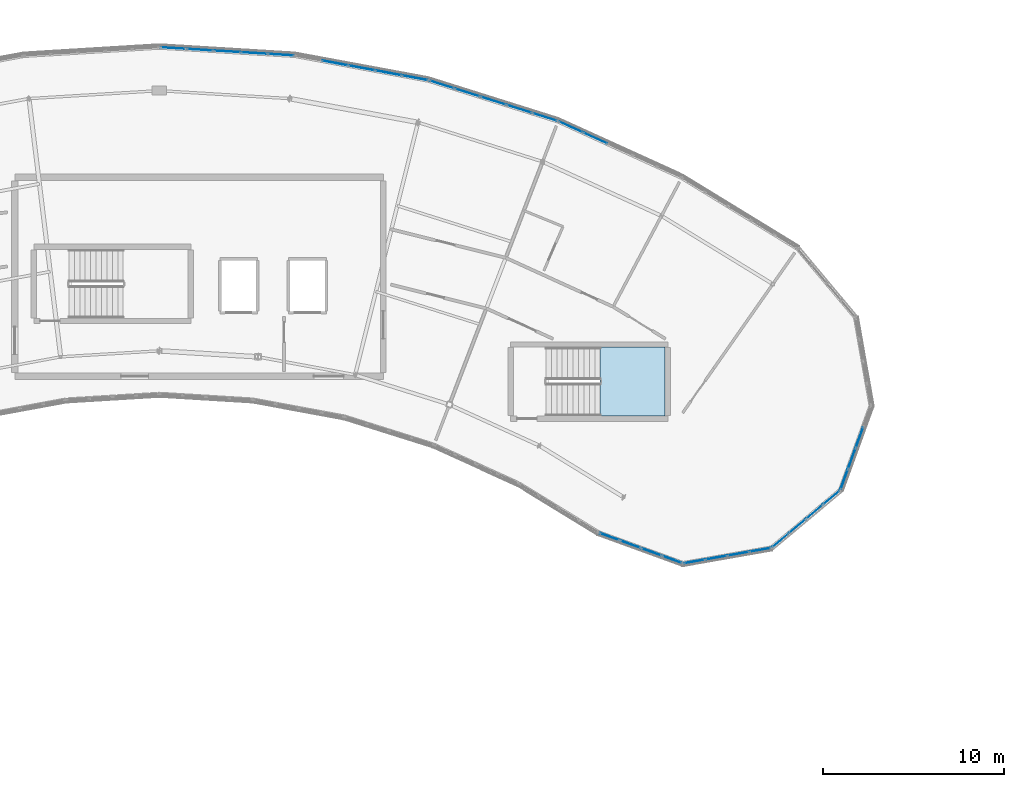
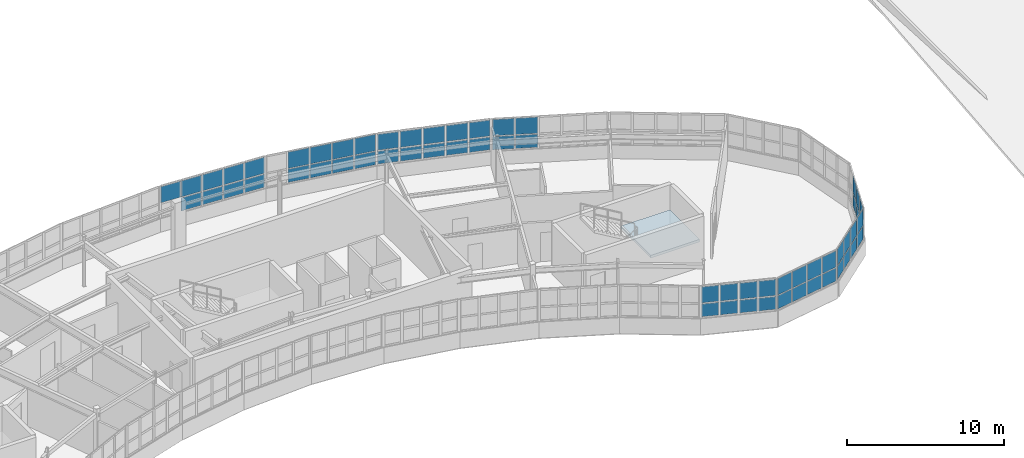
# One storey, part 54 of 79: 61 plates, 1 slab, 9 elements without a shape of their own.
"""IFC4 building model written with IfcOpenShell, lengths in metres."""

from ifc_helpers import new_model, si_unit, direction, frame, origin, origin_2d, place, context, subcontext, project, spatial, polyline, rectangle, outline, extrude, material, layer, layer_set, type_object, element, aggregate, save


model = new_model("IFC4")

# Units and contexts
model_context = context("Model", 3, precision=1e-05, world=origin(), true_north=direction((0.0, 1.0)))
body_context = subcontext(model_context, "Body", "Model", "MODEL_VIEW")
ifc_project = project(units=[si_unit("LENGTHUNIT", "METRE"), si_unit("AREAUNIT", "SQUARE_METRE"), si_unit("VOLUMEUNIT", "CUBIC_METRE"), si_unit("PLANEANGLEUNIT", "RADIAN"), si_unit("MASSUNIT", "GRAM", prefix="KILO")], contexts=[model_context])

# Site, building, storey
site_placement = place(None, origin())
site = spatial("IfcSite", under=ifc_project, at=site_placement, CompositionType="ELEMENT")
building_placement = place(site_placement, origin())
building = spatial("IfcBuilding", under=site, at=building_placement, Name="Tarnwether General Hospital", CompositionType="ELEMENT")
storey_placement = place(building_placement, frame((0.0, 0.0, 18.300048828125)))
storey = spatial("IfcBuildingStorey", under=building, at=storey_placement, Name="L04", CompositionType="ELEMENT", Elevation=18.300048828125)

# Curtain wall, plates
ifc_material_1 = material(Name="Anodised aluminium", Category="aluminium")
ifc_layer_1 = layer(ifc_material_1, 0.159912109375)
ifc_layer_set_1 = layer_set([ifc_layer_1], Name="Anodised aluminium")
curtain_wall_type_1 = type_object("IfcCurtainWallType", Name="CW-04", PredefinedType="NOTDEFINED", material=ifc_layer_set_1)
curtain_wall_1_placement = place(storey_placement, origin())
curtain_wall_1 = element("IfcCurtainWall", 1, at=curtain_wall_1_placement, inside=storey, type_object=curtain_wall_type_1, Name="Curtain Wall CWG-L04-1259_969-0049", PredefinedType="NOTDEFINED")
ifc_material_2 = material(Name="Double glazed low-E glass", Category="glass")
ifc_layer_2 = layer(ifc_material_2, 0.028076171875)
ifc_layer_set_2 = layer_set([ifc_layer_2], Name="Double glazed low-E glass")
plate_type_1 = type_object("IfcPlateType", Name="PT-CWP1", PredefinedType="CURTAIN_PANEL", material=ifc_layer_set_2)
plate_1_placement = place(storey_placement, frame((125.256591796875, 96.784423828125, 1.10986328125), z_axis=(0.0, 0.0, 1.0), x_axis=(-0.984805834268, -0.173659059054, 0.0)))
plate_1 = element("IfcPlate", 2, at=plate_1_placement, type_object=plate_type_1, Name="CW-04 panel 1.1", PredefinedType="CURTAIN_PANEL", context=body_context, shape_type="SweptSolid", body=[
    extrude(rectangle(XDim=1.15234375, YDim=0.028076171875, at=origin_2d()), origin(), (0.0, 0.0, 1.0), 1.030517578125),
])
plate_2_placement = place(storey_placement, frame((125.256591796875, 96.784423828125, 2.2001953125), z_axis=(0.0, 0.0, 1.0), x_axis=(-0.984805834268, -0.173659059054, 0.0)))
plate_2 = element("IfcPlate", 3, at=plate_2_placement, type_object=plate_type_1, Name="CW-04 panel 1.2", PredefinedType="CURTAIN_PANEL", context=body_context, shape_type="SweptSolid", body=[
    extrude(rectangle(XDim=1.15234375, YDim=0.028076171875, at=origin_2d()), origin(), (0.0, 0.0, 1.0), 1.279541015625),
])
plate_3_placement = place(storey_placement, frame((124.0478515625, 96.5712890625, 1.10986328125), z_axis=(0.0, 0.0, 1.0), x_axis=(-0.984805834268, -0.173659059054, 0.0)))
plate_3 = element("IfcPlate", 4, at=plate_3_placement, type_object=plate_type_1, Name="CW-04 panel 2.1", PredefinedType="CURTAIN_PANEL", context=body_context, shape_type="SweptSolid", body=[
    extrude(rectangle(XDim=1.182373046875, YDim=0.028076171875, at=origin_2d()), origin(), (0.0, 0.0, 1.0), 1.030517578125),
])
plate_4_placement = place(storey_placement, frame((124.0478515625, 96.5712890625, 2.2001953125), z_axis=(0.0, 0.0, 1.0), x_axis=(-0.984805834268, -0.173659059054, 0.0)))
plate_4 = element("IfcPlate", 5, at=plate_4_placement, type_object=plate_type_1, Name="CW-04 panel 2.2", PredefinedType="CURTAIN_PANEL", context=body_context, shape_type="SweptSolid", body=[
    extrude(rectangle(XDim=1.182373046875, YDim=0.028076171875, at=origin_2d()), origin(), (0.0, 0.0, 1.0), 1.279541015625),
])
plate_5_placement = place(storey_placement, frame((122.82421875, 96.355712890625, 1.10986328125), z_axis=(0.0, 0.0, 1.0), x_axis=(-0.984805834268, -0.173659059054, 0.0)))
plate_5 = element("IfcPlate", 6, at=plate_5_placement, type_object=plate_type_1, Name="CW-04 panel 3.1", PredefinedType="CURTAIN_PANEL", context=body_context, shape_type="SweptSolid", body=[
    extrude(rectangle(XDim=1.182373046875, YDim=0.028076171875, at=origin_2d()), origin(), (0.0, 0.0, 1.0), 1.030517578125),
])
plate_6_placement = place(storey_placement, frame((122.82421875, 96.355712890625, 2.2001953125), z_axis=(0.0, 0.0, 1.0), x_axis=(-0.984805834268, -0.173659059054, 0.0)))
plate_6 = element("IfcPlate", 7, at=plate_6_placement, type_object=plate_type_1, Name="CW-04 panel 3.2", PredefinedType="CURTAIN_PANEL", context=body_context, shape_type="SweptSolid", body=[
    extrude(rectangle(XDim=1.182373046875, YDim=0.028076171875, at=origin_2d()), origin(), (0.0, 0.0, 1.0), 1.279541015625),
])
plate_7_placement = place(storey_placement, frame((121.615478515625, 96.142578125, 1.10986328125), z_axis=(0.0, 0.0, 1.0), x_axis=(-0.984805834268, -0.173659059054, 0.0)))
plate_7 = element("IfcPlate", 8, at=plate_7_placement, type_object=plate_type_1, Name="CW-04 panel 4.1", PredefinedType="CURTAIN_PANEL", context=body_context, shape_type="SweptSolid", body=[
    extrude(rectangle(XDim=1.15234375, YDim=0.028076171875, at=origin_2d()), origin(), (0.0, 0.0, 1.0), 1.030517578125),
])
plate_8_placement = place(storey_placement, frame((121.615478515625, 96.142578125, 2.2001953125), z_axis=(0.0, 0.0, 1.0), x_axis=(-0.984805834268, -0.173659059054, 0.0)))
plate_8 = element("IfcPlate", 9, at=plate_8_placement, type_object=plate_type_1, Name="CW-04 panel 4.2", PredefinedType="CURTAIN_PANEL", context=body_context, shape_type="SweptSolid", body=[
    extrude(rectangle(XDim=1.15234375, YDim=0.028076171875, at=origin_2d()), origin(), (0.0, 0.0, 1.0), 1.279541015625),
])
aggregate(curtain_wall_1, [plate_1, plate_2, plate_3, plate_4, plate_5, plate_6, plate_7, plate_8])

curtain_wall_2_placement = place(storey_placement, origin())
curtain_wall_2 = element("IfcCurtainWall", 10, at=curtain_wall_2_placement, inside=storey, type_object=curtain_wall_type_1, Name="Curtain Wall CWG-L04-1297_1001-0050", PredefinedType="NOTDEFINED")
plate_9_placement = place(storey_placement, frame((129.20068359375, 99.679443359375, 1.1201171875), z_axis=(0.0, 0.0, 1.0), x_axis=(-0.765990176896, -0.64285227611, 0.0)))
plate_9 = element("IfcPlate", 11, at=plate_9_placement, type_object=plate_type_1, Name="CW-04 panel 1.1", PredefinedType="CURTAIN_PANEL", context=body_context, shape_type="SweptSolid", body=[
    extrude(rectangle(XDim=1.137451171875, YDim=0.028076171875, at=origin_2d()), origin(), (0.0, 0.0, 1.0), 1.015380859375),
])
plate_10_placement = place(storey_placement, frame((129.20068359375, 99.679443359375, 2.20556640625), z_axis=(0.0, 0.0, 1.0), x_axis=(-0.765990176896, -0.64285227611, 0.0)))
plate_10 = element("IfcPlate", 12, at=plate_10_placement, type_object=plate_type_1, Name="CW-04 panel 1.2", PredefinedType="CURTAIN_PANEL", context=body_context, shape_type="SweptSolid", body=[
    extrude(rectangle(XDim=1.137451171875, YDim=0.028076171875, at=origin_2d()), origin(), (0.0, 0.0, 1.0), 1.264404296875),
])
plate_11_placement = place(storey_placement, frame((128.262451171875, 98.891845703125, 1.1201171875), z_axis=(0.0, 0.0, 1.0), x_axis=(-0.765990176896, -0.64285227611, 0.0)))
plate_11 = element("IfcPlate", 13, at=plate_11_placement, type_object=plate_type_1, Name="CW-04 panel 2.1", PredefinedType="CURTAIN_PANEL", context=body_context, shape_type="SweptSolid", body=[
    extrude(rectangle(XDim=1.172607421875, YDim=0.028076171875, at=origin_2d()), origin(), (0.0, 0.0, 1.0), 1.015380859375),
])
plate_12_placement = place(storey_placement, frame((128.262451171875, 98.891845703125, 2.20556640625), z_axis=(0.0, 0.0, 1.0), x_axis=(-0.765990176896, -0.64285227611, 0.0)))
plate_12 = element("IfcPlate", 14, at=plate_12_placement, type_object=plate_type_1, Name="CW-04 panel 2.2", PredefinedType="CURTAIN_PANEL", context=body_context, shape_type="SweptSolid", body=[
    extrude(rectangle(XDim=1.172607421875, YDim=0.028076171875, at=origin_2d()), origin(), (0.0, 0.0, 1.0), 1.264404296875),
])
plate_13_placement = place(storey_placement, frame((127.310546875, 98.093017578125, 1.1201171875), z_axis=(0.0, 0.0, 1.0), x_axis=(-0.765990176896, -0.64285227611, 0.0)))
plate_13 = element("IfcPlate", 15, at=plate_13_placement, type_object=plate_type_1, Name="CW-04 panel 3.1", PredefinedType="CURTAIN_PANEL", context=body_context, shape_type="SweptSolid", body=[
    extrude(rectangle(XDim=1.172607421875, YDim=0.028076171875, at=origin_2d()), origin(), (0.0, 0.0, 1.0), 1.015380859375),
])
plate_14_placement = place(storey_placement, frame((127.310546875, 98.093017578125, 2.20556640625), z_axis=(0.0, 0.0, 1.0), x_axis=(-0.765990176896, -0.64285227611, 0.0)))
plate_14 = element("IfcPlate", 16, at=plate_14_placement, type_object=plate_type_1, Name="CW-04 panel 3.2", PredefinedType="CURTAIN_PANEL", context=body_context, shape_type="SweptSolid", body=[
    extrude(rectangle(XDim=1.172607421875, YDim=0.028076171875, at=origin_2d()), origin(), (0.0, 0.0, 1.0), 1.264404296875),
])
plate_15_placement = place(storey_placement, frame((126.372314453125, 97.3056640625, 1.1201171875), z_axis=(0.0, 0.0, 1.0), x_axis=(-0.765990176896, -0.64285227611, 0.0)))
plate_15 = element("IfcPlate", 17, at=plate_15_placement, type_object=plate_type_1, Name="CW-04 panel 4.1", PredefinedType="CURTAIN_PANEL", context=body_context, shape_type="SweptSolid", body=[
    extrude(rectangle(XDim=1.137451171875, YDim=0.028076171875, at=origin_2d()), origin(), (0.0, 0.0, 1.0), 1.015380859375),
])
plate_16_placement = place(storey_placement, frame((126.372314453125, 97.3056640625, 2.20556640625), z_axis=(0.0, 0.0, 1.0), x_axis=(-0.765990176896, -0.64285227611, 0.0)))
plate_16 = element("IfcPlate", 18, at=plate_16_placement, type_object=plate_type_1, Name="CW-04 panel 4.2", PredefinedType="CURTAIN_PANEL", context=body_context, shape_type="SweptSolid", body=[
    extrude(rectangle(XDim=1.137451171875, YDim=0.028076171875, at=origin_2d()), origin(), (0.0, 0.0, 1.0), 1.264404296875),
])
aggregate(curtain_wall_2, [plate_9, plate_10, plate_11, plate_12, plate_13, plate_14, plate_15, plate_16])

ifc_material_3 = material(Name="Anodised aluminium", Category="aluminium")
ifc_layer_3 = layer(ifc_material_3, 0.159912109375)
ifc_layer_set_3 = layer_set([ifc_layer_3], Name="Anodised aluminium")
curtain_wall_type_2 = type_object("IfcCurtainWallType", Name="CW-02", PredefinedType="NOTDEFINED", material=ifc_layer_set_3)
curtain_wall_3_placement = place(storey_placement, origin())
curtain_wall_3 = element("IfcCurtainWall", 19, at=curtain_wall_3_placement, inside=storey, type_object=curtain_wall_type_2, Name="Curtain Wall CWG-L04-1141_1205-0055", PredefinedType="NOTDEFINED")
plate_17_placement = place(storey_placement, frame((114.774169921875, 120.1904296875, 1.114990234375), z_axis=(0.0, 0.0, 1.0), x_axis=(0.909960793886, -0.414694289316, 0.0)))
plate_17 = element("IfcPlate", 20, at=plate_17_placement, type_object=plate_type_1, Name="CW-02 panel 1.1", PredefinedType="CURTAIN_PANEL", context=body_context, shape_type="SweptSolid", body=[
    extrude(rectangle(XDim=1.40673828125, YDim=0.028076171875, at=origin_2d()), origin(), (0.0, 0.0, 1.0), 1.02294921875),
])
plate_18_placement = place(storey_placement, frame((114.774169921875, 120.1904296875, 2.202880859375), z_axis=(0.0, 0.0, 1.0), x_axis=(0.909960793886, -0.414694289316, 0.0)))
plate_18 = element("IfcPlate", 21, at=plate_18_placement, type_object=plate_type_1, Name="CW-02 panel 1.2", PredefinedType="CURTAIN_PANEL", context=body_context, shape_type="SweptSolid", body=[
    extrude(rectangle(XDim=1.40673828125, YDim=0.028076171875, at=origin_2d()), origin(), (0.0, 0.0, 1.0), 1.27197265625),
])
plate_19_placement = place(storey_placement, frame((116.128173828125, 119.5732421875, 1.114990234375), z_axis=(0.0, 0.0, 1.0), x_axis=(0.909960793886, -0.414694289316, 0.0)))
plate_19 = element("IfcPlate", 22, at=plate_19_placement, type_object=plate_type_1, Name="CW-02 panel 2.1", PredefinedType="CURTAIN_PANEL", context=body_context, shape_type="SweptSolid", body=[
    extrude(rectangle(XDim=1.439208984375, YDim=0.028076171875, at=origin_2d()), origin(), (0.0, 0.0, 1.0), 1.02294921875),
])
plate_20_placement = place(storey_placement, frame((116.128173828125, 119.5732421875, 2.202880859375), z_axis=(0.0, 0.0, 1.0), x_axis=(0.909960793886, -0.414694289316, 0.0)))
plate_20 = element("IfcPlate", 23, at=plate_20_placement, type_object=plate_type_1, Name="CW-02 panel 2.2", PredefinedType="CURTAIN_PANEL", context=body_context, shape_type="SweptSolid", body=[
    extrude(rectangle(XDim=1.439208984375, YDim=0.028076171875, at=origin_2d()), origin(), (0.0, 0.0, 1.0), 1.27197265625),
])
aggregate(curtain_wall_3, [plate_17, plate_18, plate_19, plate_20])

curtain_wall_4_placement = place(storey_placement, origin())
curtain_wall_4 = element("IfcCurtainWall", 24, at=curtain_wall_4_placement, inside=storey, type_object=curtain_wall_type_2, Name="Curtain Wall CWG-L04-1069_1228-0056", PredefinedType="NOTDEFINED")
plate_21_placement = place(storey_placement, frame((107.638427734375, 122.537841796875, 1.1298828125), z_axis=(0.0, 0.0, 1.0), x_axis=(0.953741284032, -0.300628613299, 0.0)))
plate_21 = element("IfcPlate", 25, at=plate_21_placement, type_object=plate_type_1, Name="CW-02 panel 1.1", PredefinedType="CURTAIN_PANEL", context=body_context, shape_type="SweptSolid", body=[
    extrude(rectangle(XDim=1.38427734375, YDim=0.028076171875, at=origin_2d()), origin(), (0.0, 0.0, 1.0), 1.00048828125),
])
plate_22_placement = place(storey_placement, frame((107.638427734375, 122.537841796875, 2.21044921875), z_axis=(0.0, 0.0, 1.0), x_axis=(0.953741284032, -0.300628613299, 0.0)))
plate_22 = element("IfcPlate", 26, at=plate_22_placement, type_object=plate_type_1, Name="CW-02 panel 1.2", PredefinedType="CURTAIN_PANEL", context=body_context, shape_type="SweptSolid", body=[
    extrude(rectangle(XDim=1.38427734375, YDim=0.028076171875, at=origin_2d()), origin(), (0.0, 0.0, 1.0), 1.24951171875),
])
plate_23_placement = place(storey_placement, frame((109.053955078125, 122.091796875, 1.1298828125), z_axis=(0.0, 0.0, 1.0), x_axis=(0.953741284032, -0.300628613299, 0.0)))
plate_23 = element("IfcPlate", 27, at=plate_23_placement, type_object=plate_type_1, Name="CW-02 panel 2.1", PredefinedType="CURTAIN_PANEL", context=body_context, shape_type="SweptSolid", body=[
    extrude(rectangle(XDim=1.424072265625, YDim=0.028076171875, at=origin_2d()), origin(), (0.0, 0.0, 1.0), 1.00048828125),
])
plate_24_placement = place(storey_placement, frame((109.053955078125, 122.091796875, 2.21044921875), z_axis=(0.0, 0.0, 1.0), x_axis=(0.953741284032, -0.300628613299, 0.0)))
plate_24 = element("IfcPlate", 28, at=plate_24_placement, type_object=plate_type_1, Name="CW-02 panel 2.2", PredefinedType="CURTAIN_PANEL", context=body_context, shape_type="SweptSolid", body=[
    extrude(rectangle(XDim=1.424072265625, YDim=0.028076171875, at=origin_2d()), origin(), (0.0, 0.0, 1.0), 1.24951171875),
])
plate_25_placement = place(storey_placement, frame((110.488525390625, 121.639404296875, 1.1298828125), z_axis=(0.0, 0.0, 1.0), x_axis=(0.953741284032, -0.300628613299, 0.0)))
plate_25 = element("IfcPlate", 29, at=plate_25_placement, type_object=plate_type_1, Name="CW-02 panel 3.1", PredefinedType="CURTAIN_PANEL", context=body_context, shape_type="SweptSolid", body=[
    extrude(rectangle(XDim=1.424072265625, YDim=0.028076171875, at=origin_2d()), origin(), (0.0, 0.0, 1.0), 1.00048828125),
])
plate_26_placement = place(storey_placement, frame((110.488525390625, 121.639404296875, 2.21044921875), z_axis=(0.0, 0.0, 1.0), x_axis=(0.953741284032, -0.300628613299, 0.0)))
plate_26 = element("IfcPlate", 30, at=plate_26_placement, type_object=plate_type_1, Name="CW-02 panel 3.2", PredefinedType="CURTAIN_PANEL", context=body_context, shape_type="SweptSolid", body=[
    extrude(rectangle(XDim=1.424072265625, YDim=0.028076171875, at=origin_2d()), origin(), (0.0, 0.0, 1.0), 1.24951171875),
])
plate_27_placement = place(storey_placement, frame((111.923095703125, 121.187255859375, 1.1298828125), z_axis=(0.0, 0.0, 1.0), x_axis=(0.953741284032, -0.300628613299, 0.0)))
plate_27 = element("IfcPlate", 31, at=plate_27_placement, type_object=plate_type_1, Name="CW-02 panel 4.1", PredefinedType="CURTAIN_PANEL", context=body_context, shape_type="SweptSolid", body=[
    extrude(rectangle(XDim=1.424072265625, YDim=0.028076171875, at=origin_2d()), origin(), (0.0, 0.0, 1.0), 1.00048828125),
])
plate_28_placement = place(storey_placement, frame((111.923095703125, 121.187255859375, 2.21044921875), z_axis=(0.0, 0.0, 1.0), x_axis=(0.953741284032, -0.300628613299, 0.0)))
plate_28 = element("IfcPlate", 32, at=plate_28_placement, type_object=plate_type_1, Name="CW-02 panel 4.2", PredefinedType="CURTAIN_PANEL", context=body_context, shape_type="SweptSolid", body=[
    extrude(rectangle(XDim=1.424072265625, YDim=0.028076171875, at=origin_2d()), origin(), (0.0, 0.0, 1.0), 1.24951171875),
])
plate_29_placement = place(storey_placement, frame((113.338623046875, 120.7412109375, 1.1298828125), z_axis=(0.0, 0.0, 1.0), x_axis=(0.953741284032, -0.300628613299, 0.0)))
plate_29 = element("IfcPlate", 33, at=plate_29_placement, type_object=plate_type_1, Name="CW-02 panel 5.1", PredefinedType="CURTAIN_PANEL", context=body_context, shape_type="SweptSolid", body=[
    extrude(rectangle(XDim=1.38427734375, YDim=0.028076171875, at=origin_2d()), origin(), (0.0, 0.0, 1.0), 1.00048828125),
])
plate_30_placement = place(storey_placement, frame((113.338623046875, 120.7412109375, 2.21044921875), z_axis=(0.0, 0.0, 1.0), x_axis=(0.953741284032, -0.300628613299, 0.0)))
plate_30 = element("IfcPlate", 34, at=plate_30_placement, type_object=plate_type_1, Name="CW-02 panel 5.2", PredefinedType="CURTAIN_PANEL", context=body_context, shape_type="SweptSolid", body=[
    extrude(rectangle(XDim=1.38427734375, YDim=0.028076171875, at=origin_2d()), origin(), (0.0, 0.0, 1.0), 1.24951171875),
])
aggregate(curtain_wall_4, [plate_21, plate_22, plate_23, plate_24, plate_25, plate_26, plate_27, plate_28, plate_29, plate_30])

curtain_wall_5_placement = place(storey_placement, origin())
curtain_wall_5 = element("IfcCurtainWall", 35, at=curtain_wall_5_placement, inside=storey, type_object=curtain_wall_type_2, Name="Curtain Wall CWG-L04-920_1246-0058", PredefinedType="NOTDEFINED")
plate_31_placement = place(storey_placement, frame((92.76806640625, 124.552978515625, 2.20556640625), z_axis=(0.0, 0.0, 1.0), x_axis=(0.998135995608, -0.061028962567, 0.0)))
plate_31 = element("IfcPlate", 36, at=plate_31_placement, type_object=plate_type_1, Name="CW-02 panel 1.2", PredefinedType="CURTAIN_PANEL", context=body_context, shape_type="SweptSolid", body=[
    extrude(rectangle(XDim=1.399169921875, YDim=0.028076171875, at=origin_2d()), origin(), (0.0, 0.0, 1.0), 1.264404296875),
])
plate_32_placement = place(storey_placement, frame((94.252197265625, 124.46240234375, 1.1201171875), z_axis=(0.0, 0.0, 1.0), x_axis=(0.998135995608, -0.061028962567, 0.0)))
plate_32 = element("IfcPlate", 37, at=plate_32_placement, type_object=plate_type_1, Name="CW-02 panel 2.1", PredefinedType="CURTAIN_PANEL", context=body_context, shape_type="SweptSolid", body=[
    extrude(rectangle(XDim=1.43408203125, YDim=0.028076171875, at=origin_2d()), origin(), (0.0, 0.0, 1.0), 1.015380859375),
])
plate_33_placement = place(storey_placement, frame((94.252197265625, 124.46240234375, 2.20556640625), z_axis=(0.0, 0.0, 1.0), x_axis=(0.998135995608, -0.061028962567, 0.0)))
plate_33 = element("IfcPlate", 38, at=plate_33_placement, type_object=plate_type_1, Name="CW-02 panel 2.2", PredefinedType="CURTAIN_PANEL", context=body_context, shape_type="SweptSolid", body=[
    extrude(rectangle(XDim=1.43408203125, YDim=0.028076171875, at=origin_2d()), origin(), (0.0, 0.0, 1.0), 1.264404296875),
])
plate_34_placement = place(storey_placement, frame((95.75341796875, 124.37060546875, 1.1201171875), z_axis=(0.0, 0.0, 1.0), x_axis=(0.998135995608, -0.061028962567, 0.0)))
plate_34 = element("IfcPlate", 39, at=plate_34_placement, type_object=plate_type_1, Name="CW-02 panel 3.1", PredefinedType="CURTAIN_PANEL", context=body_context, shape_type="SweptSolid", body=[
    extrude(rectangle(XDim=1.43408203125, YDim=0.028076171875, at=origin_2d()), origin(), (0.0, 0.0, 1.0), 1.015380859375),
])
plate_35_placement = place(storey_placement, frame((95.75341796875, 124.37060546875, 2.20556640625), z_axis=(0.0, 0.0, 1.0), x_axis=(0.998135995608, -0.061028962567, 0.0)))
plate_35 = element("IfcPlate", 40, at=plate_35_placement, type_object=plate_type_1, Name="CW-02 panel 3.2", PredefinedType="CURTAIN_PANEL", context=body_context, shape_type="SweptSolid", body=[
    extrude(rectangle(XDim=1.43408203125, YDim=0.028076171875, at=origin_2d()), origin(), (0.0, 0.0, 1.0), 1.264404296875),
])
plate_36_placement = place(storey_placement, frame((97.2548828125, 124.27880859375, 1.1201171875), z_axis=(0.0, 0.0, 1.0), x_axis=(0.998135995608, -0.061028962567, 0.0)))
plate_36 = element("IfcPlate", 41, at=plate_36_placement, type_object=plate_type_1, Name="CW-02 panel 4.1", PredefinedType="CURTAIN_PANEL", context=body_context, shape_type="SweptSolid", body=[
    extrude(rectangle(XDim=1.43408203125, YDim=0.028076171875, at=origin_2d()), origin(), (0.0, 0.0, 1.0), 1.015380859375),
])
plate_37_placement = place(storey_placement, frame((97.2548828125, 124.27880859375, 2.20556640625), z_axis=(0.0, 0.0, 1.0), x_axis=(0.998135995608, -0.061028962567, 0.0)))
plate_37 = element("IfcPlate", 42, at=plate_37_placement, type_object=plate_type_1, Name="CW-02 panel 4.2", PredefinedType="CURTAIN_PANEL", context=body_context, shape_type="SweptSolid", body=[
    extrude(rectangle(XDim=1.43408203125, YDim=0.028076171875, at=origin_2d()), origin(), (0.0, 0.0, 1.0), 1.264404296875),
])
plate_38_placement = place(storey_placement, frame((98.73876953125, 124.18798828125, 1.1201171875), z_axis=(0.0, 0.0, 1.0), x_axis=(0.998135995608, -0.061028962567, 0.0)))
plate_38 = element("IfcPlate", 43, at=plate_38_placement, type_object=plate_type_1, Name="CW-02 panel 5.1", PredefinedType="CURTAIN_PANEL", context=body_context, shape_type="SweptSolid", body=[
    extrude(rectangle(XDim=1.399169921875, YDim=0.028076171875, at=origin_2d()), origin(), (0.0, 0.0, 1.0), 1.015380859375),
])
plate_39_placement = place(storey_placement, frame((98.73876953125, 124.18798828125, 2.20556640625), z_axis=(0.0, 0.0, 1.0), x_axis=(0.998135995608, -0.061028962567, 0.0)))
plate_39 = element("IfcPlate", 44, at=plate_39_placement, type_object=plate_type_1, Name="CW-02 panel 5.2", PredefinedType="CURTAIN_PANEL", context=body_context, shape_type="SweptSolid", body=[
    extrude(rectangle(XDim=1.399169921875, YDim=0.028076171875, at=origin_2d()), origin(), (0.0, 0.0, 1.0), 1.264404296875),
])
aggregate(curtain_wall_5, [plate_31, plate_32, plate_33, plate_34, plate_35, plate_36, plate_37, plate_38, plate_39])

curtain_wall_6_placement = place(storey_placement, origin())
curtain_wall_6 = element("IfcCurtainWall", 45, at=curtain_wall_6_placement, inside=storey, type_object=curtain_wall_type_1, Name="Curtain Wall CWG-L04-1210_960-0048", PredefinedType="NOTDEFINED")
ifc_material_4 = material(Name="Double glazed low-E glass", Category="glass")
ifc_layer_4 = layer(ifc_material_4, 0.035888671875)
ifc_layer_set_4 = layer_set([ifc_layer_4], Name="Double glazed low-E glass")
plate_type_2 = type_object("IfcPlateType", Name="PT-CWP2", PredefinedType="CURTAIN_PANEL", material=ifc_layer_set_4)
plate_40_placement = place(storey_placement, frame((120.386474609375, 96.251220703125, 1.1298828125), z_axis=(0.0, 0.0, 1.0), x_axis=(-0.939652319163, 0.342130850834, 0.0)))
plate_40 = element("IfcPlate", 46, at=plate_40_placement, type_object=plate_type_2, Name="CW-04 panel 1.1", PredefinedType="CURTAIN_PANEL", context=body_context, shape_type="SweptSolid", body=[
    extrude(rectangle(XDim=1.122314453125, YDim=0.035888671875, at=origin_2d()), origin(), (0.0, 0.0, 1.0), 1.00048828125),
])
plate_41_placement = place(storey_placement, frame((120.386474609375, 96.251220703125, 2.21044921875), z_axis=(0.0, 0.0, 1.0), x_axis=(-0.939652319163, 0.342130850834, 0.0)))
plate_41 = element("IfcPlate", 47, at=plate_41_placement, type_object=plate_type_2, Name="CW-04 panel 1.2", PredefinedType="CURTAIN_PANEL", context=body_context, shape_type="SweptSolid", body=[
    extrude(rectangle(XDim=1.122314453125, YDim=0.035888671875, at=origin_2d()), origin(), (0.0, 0.0, 1.0), 1.24951171875),
])
plate_42_placement = place(storey_placement, frame((119.238037109375, 96.66943359375, 1.1298828125), z_axis=(0.0, 0.0, 1.0), x_axis=(-0.939652319163, 0.342130850834, 0.0)))
plate_42 = element("IfcPlate", 48, at=plate_42_placement, type_object=plate_type_2, Name="CW-04 panel 2.1", PredefinedType="CURTAIN_PANEL", context=body_context, shape_type="SweptSolid", body=[
    extrude(rectangle(XDim=1.162109375, YDim=0.035888671875, at=origin_2d()), origin(), (0.0, 0.0, 1.0), 1.00048828125),
])
plate_43_placement = place(storey_placement, frame((119.238037109375, 96.66943359375, 2.21044921875), z_axis=(0.0, 0.0, 1.0), x_axis=(-0.939652319163, 0.342130850834, 0.0)))
plate_43 = element("IfcPlate", 49, at=plate_43_placement, type_object=plate_type_2, Name="CW-04 panel 2.2", PredefinedType="CURTAIN_PANEL", context=body_context, shape_type="SweptSolid", body=[
    extrude(rectangle(XDim=1.162109375, YDim=0.035888671875, at=origin_2d()), origin(), (0.0, 0.0, 1.0), 1.24951171875),
])
plate_44_placement = place(storey_placement, frame((118.07080078125, 97.094482421875, 1.1298828125), z_axis=(0.0, 0.0, 1.0), x_axis=(-0.939652319163, 0.342130850834, 0.0)))
plate_44 = element("IfcPlate", 50, at=plate_44_placement, type_object=plate_type_2, Name="CW-04 panel 3.1", PredefinedType="CURTAIN_PANEL", context=body_context, shape_type="SweptSolid", body=[
    extrude(rectangle(XDim=1.162109375, YDim=0.035888671875, at=origin_2d()), origin(), (0.0, 0.0, 1.0), 1.00048828125),
])
plate_45_placement = place(storey_placement, frame((118.07080078125, 97.094482421875, 2.21044921875), z_axis=(0.0, 0.0, 1.0), x_axis=(-0.939652319163, 0.342130850834, 0.0)))
plate_45 = element("IfcPlate", 51, at=plate_45_placement, type_object=plate_type_2, Name="CW-04 panel 3.2", PredefinedType="CURTAIN_PANEL", context=body_context, shape_type="SweptSolid", body=[
    extrude(rectangle(XDim=1.162109375, YDim=0.035888671875, at=origin_2d()), origin(), (0.0, 0.0, 1.0), 1.24951171875),
])
plate_46_placement = place(storey_placement, frame((116.92236328125, 97.5126953125, 1.1298828125), z_axis=(0.0, 0.0, 1.0), x_axis=(-0.939652319163, 0.342130850834, 0.0)))
plate_46 = element("IfcPlate", 52, at=plate_46_placement, type_object=plate_type_2, Name="CW-04 panel 4.1", PredefinedType="CURTAIN_PANEL", context=body_context, shape_type="SweptSolid", body=[
    extrude(rectangle(XDim=1.122314453125, YDim=0.035888671875, at=origin_2d()), origin(), (0.0, 0.0, 1.0), 1.00048828125),
])
plate_47_placement = place(storey_placement, frame((116.92236328125, 97.5126953125, 2.21044921875), z_axis=(0.0, 0.0, 1.0), x_axis=(-0.939652319163, 0.342130850834, 0.0)))
plate_47 = element("IfcPlate", 53, at=plate_47_placement, type_object=plate_type_2, Name="CW-04 panel 4.2", PredefinedType="CURTAIN_PANEL", context=body_context, shape_type="SweptSolid", body=[
    extrude(rectangle(XDim=1.122314453125, YDim=0.035888671875, at=origin_2d()), origin(), (0.0, 0.0, 1.0), 1.24951171875),
])
aggregate(curtain_wall_6, [plate_40, plate_41, plate_42, plate_43, plate_44, plate_45, plate_46, plate_47])

curtain_wall_7_placement = place(storey_placement, origin())
curtain_wall_7 = element("IfcCurtainWall", 54, at=curtain_wall_7_placement, inside=storey, type_object=curtain_wall_type_1, Name="Curtain Wall CWG-L04-1314_1048-0051", PredefinedType="NOTDEFINED")
plate_48_placement = place(storey_placement, frame((130.751953125, 103.008056640625, 1.114990234375), z_axis=(0.0, 0.0, 1.0), x_axis=(-0.341953136469, -0.939717006582, 0.0)))
plate_48 = element("IfcPlate", 55, at=plate_48_placement, type_object=plate_type_2, Name="CW-04 panel 2.1", PredefinedType="CURTAIN_PANEL", context=body_context, shape_type="SweptSolid", body=[
    extrude(rectangle(XDim=1.17724609375, YDim=0.035888671875, at=origin_2d()), origin(), (0.0, 0.0, 1.0), 1.02294921875),
])
plate_49_placement = place(storey_placement, frame((130.751953125, 103.008056640625, 2.202880859375), z_axis=(0.0, 0.0, 1.0), x_axis=(-0.341953136469, -0.939717006582, 0.0)))
plate_49 = element("IfcPlate", 56, at=plate_49_placement, type_object=plate_type_2, Name="CW-04 panel 2.2", PredefinedType="CURTAIN_PANEL", context=body_context, shape_type="SweptSolid", body=[
    extrude(rectangle(XDim=1.17724609375, YDim=0.035888671875, at=origin_2d()), origin(), (0.0, 0.0, 1.0), 1.27197265625),
])
plate_50_placement = place(storey_placement, frame((130.3271484375, 101.8408203125, 1.114990234375), z_axis=(0.0, 0.0, 1.0), x_axis=(-0.341953136469, -0.939717006582, 0.0)))
plate_50 = element("IfcPlate", 57, at=plate_50_placement, type_object=plate_type_2, Name="CW-04 panel 3.1", PredefinedType="CURTAIN_PANEL", context=body_context, shape_type="SweptSolid", body=[
    extrude(rectangle(XDim=1.17724609375, YDim=0.035888671875, at=origin_2d()), origin(), (0.0, 0.0, 1.0), 1.02294921875),
])
plate_51_placement = place(storey_placement, frame((130.3271484375, 101.8408203125, 2.202880859375), z_axis=(0.0, 0.0, 1.0), x_axis=(-0.341953136469, -0.939717006582, 0.0)))
plate_51 = element("IfcPlate", 58, at=plate_51_placement, type_object=plate_type_2, Name="CW-04 panel 3.2", PredefinedType="CURTAIN_PANEL", context=body_context, shape_type="SweptSolid", body=[
    extrude(rectangle(XDim=1.17724609375, YDim=0.035888671875, at=origin_2d()), origin(), (0.0, 0.0, 1.0), 1.27197265625),
])
plate_52_placement = place(storey_placement, frame((129.907958984375, 100.68896484375, 1.114990234375), z_axis=(0.0, 0.0, 1.0), x_axis=(-0.341953136469, -0.939717006582, 0.0)))
plate_52 = element("IfcPlate", 59, at=plate_52_placement, type_object=plate_type_2, Name="CW-04 panel 4.1", PredefinedType="CURTAIN_PANEL", context=body_context, shape_type="SweptSolid", body=[
    extrude(rectangle(XDim=1.14453125, YDim=0.035888671875, at=origin_2d()), origin(), (0.0, 0.0, 1.0), 1.02294921875),
])
plate_53_placement = place(storey_placement, frame((129.907958984375, 100.68896484375, 2.202880859375), z_axis=(0.0, 0.0, 1.0), x_axis=(-0.341953136469, -0.939717006582, 0.0)))
plate_53 = element("IfcPlate", 60, at=plate_53_placement, type_object=plate_type_2, Name="CW-04 panel 4.2", PredefinedType="CURTAIN_PANEL", context=body_context, shape_type="SweptSolid", body=[
    extrude(rectangle(XDim=1.14453125, YDim=0.035888671875, at=origin_2d()), origin(), (0.0, 0.0, 1.0), 1.27197265625),
])
aggregate(curtain_wall_7, [plate_48, plate_49, plate_50, plate_51, plate_52, plate_53])

curtain_wall_8_placement = place(storey_placement, origin())
curtain_wall_8 = element("IfcCurtainWall", 61, at=curtain_wall_8_placement, inside=storey, type_object=curtain_wall_type_2, Name="Curtain Wall CWG-L04-995_1241-0057", PredefinedType="NOTDEFINED")
plate_54_placement = place(storey_placement, frame((101.7255859375, 123.729736328125, 1.10986328125), z_axis=(0.0, 0.0, 1.0), x_axis=(0.983244953132, -0.182289226614, 0.0)))
plate_54 = element("IfcPlate", 62, at=plate_54_placement, type_object=plate_type_2, Name="CW-02 panel 2.1", PredefinedType="CURTAIN_PANEL", context=body_context, shape_type="SweptSolid", body=[
    extrude(rectangle(XDim=1.444091796875, YDim=0.035888671875, at=origin_2d()), origin(), (0.0, 0.0, 1.0), 1.030517578125),
])
plate_55_placement = place(storey_placement, frame((101.7255859375, 123.729736328125, 2.2001953125), z_axis=(0.0, 0.0, 1.0), x_axis=(0.983244953132, -0.182289226614, 0.0)))
plate_55 = element("IfcPlate", 63, at=plate_55_placement, type_object=plate_type_2, Name="CW-02 panel 2.2", PredefinedType="CURTAIN_PANEL", context=body_context, shape_type="SweptSolid", body=[
    extrude(rectangle(XDim=1.444091796875, YDim=0.035888671875, at=origin_2d()), origin(), (0.0, 0.0, 1.0), 1.279541015625),
])
plate_56_placement = place(storey_placement, frame((103.20458984375, 123.45556640625, 1.10986328125), z_axis=(0.0, 0.0, 1.0), x_axis=(0.983244953132, -0.182289226614, 0.0)))
plate_56 = element("IfcPlate", 64, at=plate_56_placement, type_object=plate_type_2, Name="CW-02 panel 3.1", PredefinedType="CURTAIN_PANEL", context=body_context, shape_type="SweptSolid", body=[
    extrude(rectangle(XDim=1.444091796875, YDim=0.035888671875, at=origin_2d()), origin(), (0.0, 0.0, 1.0), 1.030517578125),
])
plate_57_placement = place(storey_placement, frame((103.20458984375, 123.45556640625, 2.2001953125), z_axis=(0.0, 0.0, 1.0), x_axis=(0.983244953132, -0.182289226614, 0.0)))
plate_57 = element("IfcPlate", 65, at=plate_57_placement, type_object=plate_type_2, Name="CW-02 panel 3.2", PredefinedType="CURTAIN_PANEL", context=body_context, shape_type="SweptSolid", body=[
    extrude(rectangle(XDim=1.444091796875, YDim=0.035888671875, at=origin_2d()), origin(), (0.0, 0.0, 1.0), 1.279541015625),
])
plate_58_placement = place(storey_placement, frame((104.68359375, 123.181396484375, 1.10986328125), z_axis=(0.0, 0.0, 1.0), x_axis=(0.983244953132, -0.182289226614, 0.0)))
plate_58 = element("IfcPlate", 66, at=plate_58_placement, type_object=plate_type_2, Name="CW-02 panel 4.1", PredefinedType="CURTAIN_PANEL", context=body_context, shape_type="SweptSolid", body=[
    extrude(rectangle(XDim=1.444091796875, YDim=0.035888671875, at=origin_2d()), origin(), (0.0, 0.0, 1.0), 1.030517578125),
])
plate_59_placement = place(storey_placement, frame((104.68359375, 123.181396484375, 2.2001953125), z_axis=(0.0, 0.0, 1.0), x_axis=(0.983244953132, -0.182289226614, 0.0)))
plate_59 = element("IfcPlate", 67, at=plate_59_placement, type_object=plate_type_2, Name="CW-02 panel 4.2", PredefinedType="CURTAIN_PANEL", context=body_context, shape_type="SweptSolid", body=[
    extrude(rectangle(XDim=1.444091796875, YDim=0.035888671875, at=origin_2d()), origin(), (0.0, 0.0, 1.0), 1.279541015625),
])
plate_60_placement = place(storey_placement, frame((106.147705078125, 122.909912109375, 1.10986328125), z_axis=(0.0, 0.0, 1.0), x_axis=(0.983244953132, -0.182289226614, 0.0)))
plate_60 = element("IfcPlate", 68, at=plate_60_placement, type_object=plate_type_2, Name="CW-02 panel 5.1", PredefinedType="CURTAIN_PANEL", context=body_context, shape_type="SweptSolid", body=[
    extrude(rectangle(XDim=1.414306640625, YDim=0.035888671875, at=origin_2d()), origin(), (0.0, 0.0, 1.0), 1.030517578125),
])
plate_61_placement = place(storey_placement, frame((106.147705078125, 122.909912109375, 2.2001953125), z_axis=(0.0, 0.0, 1.0), x_axis=(0.983244953132, -0.182289226614, 0.0)))
plate_61 = element("IfcPlate", 69, at=plate_61_placement, type_object=plate_type_2, Name="CW-02 panel 5.2", PredefinedType="CURTAIN_PANEL", context=body_context, shape_type="SweptSolid", body=[
    extrude(rectangle(XDim=1.414306640625, YDim=0.035888671875, at=origin_2d()), origin(), (0.0, 0.0, 1.0), 1.279541015625),
])
aggregate(curtain_wall_8, [plate_54, plate_55, plate_56, plate_57, plate_58, plate_59, plate_60, plate_61])

# Stair, slab
ifc_material_5 = material(Name="Concrete 40 MPa", Category="concrete")
stair_type = type_object("IfcStairType", Name="ST-DL39B", PredefinedType="HALF_TURN_STAIR", material=ifc_material_5)
stair_placement = place(storey_placement, origin())
stair = element("IfcStair", 70, at=stair_placement, inside=storey, type_object=stair_type, Name="L04 Exit Stair ST-08", PredefinedType="HALF_TURN_STAIR")
ifc_material_6 = material(Name="Concrete 40 MPa", Category="concrete")
ifc_layer_5 = layer(ifc_material_6, 0.199951171875)
ifc_layer_set_5 = layer_set([ifc_layer_5], Name="Concrete 40 MPa")
slab_type = type_object("IfcSlabType", Name="SL-LD200", PredefinedType="LANDING", material=ifc_layer_set_5)
slab_placement = place(storey_placement, frame((0.0, 0.0, 1.75)))
slab = element("IfcSlab", 71, at=slab_placement, type_object=slab_type, Name="ST-08 landing 1", PredefinedType="LANDING", context=body_context, shape_type="SweptSolid", body=[
    extrude(outline(polyline([(116.39990234375, 104.199951171875), (120.0, 104.199951171875), (120.0, 108.0), (116.39990234375, 108.0), (116.39990234375, 104.199951171875)])), origin(), (0.0, 0.0, 1.0), 0.199951171875),
])
aggregate(stair, [slab])

save(model, "model.ifc")
